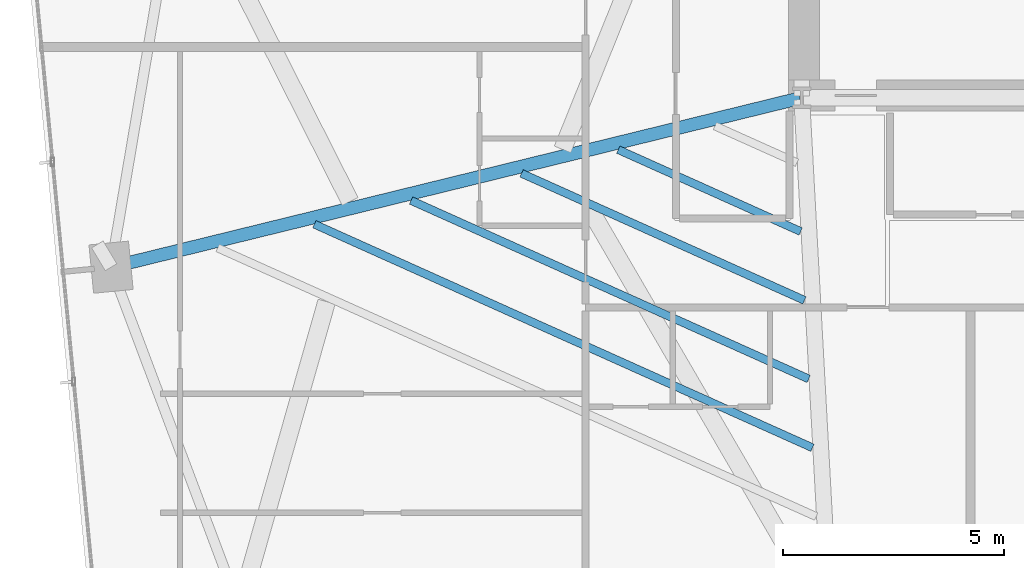
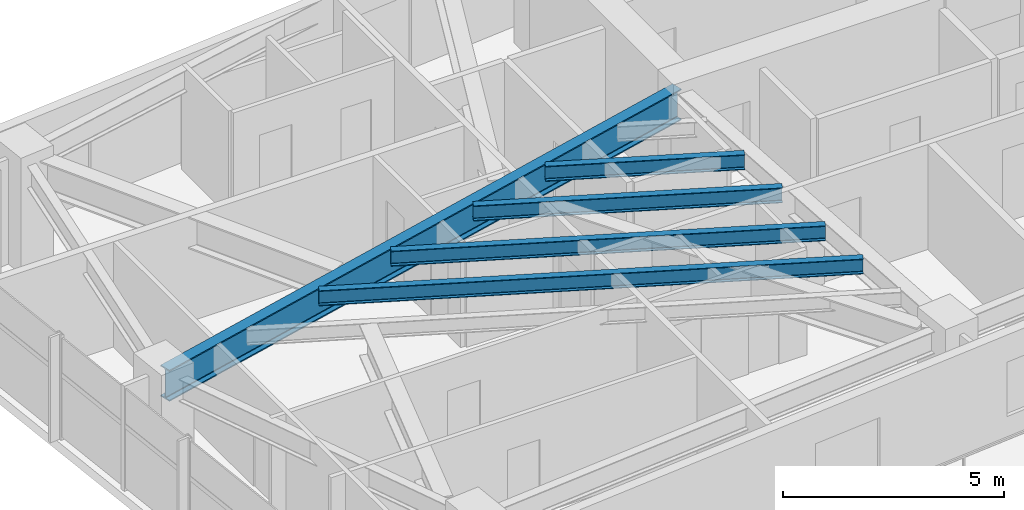
# One storey, part 5 of 27: 5 beams.
"""IFC4 building model written with IfcOpenShell, lengths in metres."""

from ifc_helpers import new_model, si_unit, direction, frame, origin, origin_2d, place, context, subcontext, project, spatial, i_section, extrude, source, transform, mapped, material, material_profile, profile_set, type_object, type_shapes, element, save


model = new_model("IFC4")

# Units and contexts
model_context = context("Model", 3, precision=1e-05, world=origin(), true_north=direction((0.0, 1.0)))
body_context = subcontext(model_context, "Body", "Model", "MODEL_VIEW")
ifc_project = project(units=[si_unit("LENGTHUNIT", "METRE"), si_unit("AREAUNIT", "SQUARE_METRE"), si_unit("VOLUMEUNIT", "CUBIC_METRE"), si_unit("PLANEANGLEUNIT", "RADIAN"), si_unit("MASSUNIT", "GRAM", prefix="KILO")], contexts=[model_context])

# Site, building, storey
site_placement = place(None, origin())
site = spatial("IfcSite", under=ifc_project, at=site_placement, CompositionType="ELEMENT")
building_placement = place(site_placement, origin())
building = spatial("IfcBuilding", under=site, at=building_placement, Name="Astriad Promenade Condominiums", CompositionType="ELEMENT")
storey_placement = place(building_placement, frame((0.0, 0.0, 116.199951171875)))
storey = spatial("IfcBuildingStorey", under=building, at=storey_placement, Name="L33", CompositionType="ELEMENT", Elevation=116.199951171875)

# Beams
ifc_material = material(Name="Steel ASTM A992 Grade 50", Category="steel")
ifc_material_profile_1 = material_profile(ifc_material, i_section(OverallWidth=0.2919921875, OverallDepth=0.85888671875, WebThickness=0.01708984375, FlangeThickness=0.031005859375, FilletRadius=0.02294921875, at=origin_2d()), Name="W33X169")
ifc_profile_set_1 = profile_set([ifc_material_profile_1], Name="Steel ASTM A992 Grade 50")
beam_type_1 = type_object("IfcBeamType", Name="STEEL PRIMARY GIRDER W33X169", PredefinedType="BEAM", material=ifc_profile_set_1)
shared_shape_1 = source(origin(), body_context, "Body", "SweptSolid", [
    extrude(i_section(OverallWidth=0.2919921875, OverallDepth=0.85888671875, WebThickness=0.01708984375, FlangeThickness=0.031005859375, FilletRadius=0.02294921875, at=origin_2d()), origin(), (0.0, 0.0, 1.0), 16.032470703125),
])
type_shapes(beam_type_1, [shared_shape_1])
beam_1_placement = place(storey_placement, frame((10.790283203125, 13.5703125, 2.470458984375), z_axis=(0.971199076901, 0.238269496633, 0.0), x_axis=(-0.238269496633, 0.971199076901, 0.0)))
element("IfcBeam", 1, at=beam_1_placement, inside=storey, type_object=beam_type_1, Name="Primary Floor Girder PG-WM-L33", PredefinedType="BEAM", context=body_context, shape_type="MappedRepresentation", body=[
    mapped(shared_shape_1, transform((0.0, 0.0, 0.0), scale=1.0)),
])
ifc_material_profile_2 = material_profile(ifc_material, i_section(OverallWidth=0.180908203125, OverallDepth=0.417236328125, WebThickness=0.010986328125, FlangeThickness=0.018310546875, FilletRadius=0.013916015625, at=origin_2d()), Name="W16X57")
ifc_profile_set_2 = profile_set([ifc_material_profile_2], Name="Steel ASTM A992 Grade 50")
beam_type_2 = type_object("IfcBeamType", Name="STEEL FLOOR JOIST W16X57", PredefinedType="JOIST", material=ifc_profile_set_2)
shared_shape_2 = source(origin(), body_context, "Body", "SweptSolid", [
    extrude(i_section(OverallWidth=0.180908203125, OverallDepth=0.417236328125, WebThickness=0.010986328125, FlangeThickness=0.018310546875, FilletRadius=0.013916015625, at=origin_2d()), origin(), (0.0, 0.0, 1.0), 12.369140625),
])
beam_2_placement = place(storey_placement, frame((15.35888671875, 14.534423828125, 2.69140625), z_axis=(0.91230851279, -0.409503574454, 0.0), x_axis=(0.409503574454, 0.91230851279, 0.0)))
element("IfcBeam", 2, at=beam_2_placement, inside=storey, type_object=beam_type_2, Name="Secondary Composite Floor Joist JW1-2-L33", PredefinedType="JOIST", context=body_context, shape_type="MappedRepresentation", body=[
    mapped(shared_shape_2, transform((0.0, 0.0, 0.0), scale=1.0)),
])
shared_shape_3 = source(origin(), body_context, "Body", "SweptSolid", [
    extrude(i_section(OverallWidth=0.180908203125, OverallDepth=0.417236328125, WebThickness=0.010986328125, FlangeThickness=0.018310546875, FilletRadius=0.013916015625, at=origin_2d()), origin(), (0.0, 0.0, 1.0), 9.875),
])
beam_3_placement = place(storey_placement, frame((17.549560546875, 15.072021484375, 2.69140625), z_axis=(0.912313833055, -0.409491721549, 0.0), x_axis=(0.409491721549, 0.912313833055, 0.0)))
element("IfcBeam", 3, at=beam_3_placement, inside=storey, type_object=beam_type_2, Name="Secondary Composite Floor Joist JW1-3-L33", PredefinedType="JOIST", context=body_context, shape_type="MappedRepresentation", body=[
    mapped(shared_shape_3, transform((0.0, 0.0, 0.0), scale=1.0)),
])
shared_shape_4 = source(origin(), body_context, "Body", "SweptSolid", [
    extrude(i_section(OverallWidth=0.180908203125, OverallDepth=0.417236328125, WebThickness=0.010986328125, FlangeThickness=0.018310546875, FilletRadius=0.013916015625, at=origin_2d()), origin(), (0.0, 0.0, 1.0), 7.024169921875),
])
beam_4_placement = place(storey_placement, frame((20.053466796875, 15.686279296875, 2.69140625), z_axis=(0.912306106293, -0.409508935703, 0.0), x_axis=(0.409508935703, 0.912306106293, 0.0)))
element("IfcBeam", 4, at=beam_4_placement, inside=storey, type_object=beam_type_2, Name="Secondary Composite Floor Joist JW1-4-L33", PredefinedType="JOIST", context=body_context, shape_type="MappedRepresentation", body=[
    mapped(shared_shape_4, transform((0.0, 0.0, 0.0), scale=1.0)),
])
shared_shape_5 = source(origin(), body_context, "Body", "SweptSolid", [
    extrude(i_section(OverallWidth=0.180908203125, OverallDepth=0.417236328125, WebThickness=0.010986328125, FlangeThickness=0.018310546875, FilletRadius=0.013916015625, at=origin_2d()), origin(), (0.0, 0.0, 1.0), 4.52978515625),
])
type_shapes(beam_type_2, [shared_shape_2, shared_shape_3, shared_shape_4, shared_shape_5])
beam_5_placement = place(storey_placement, frame((22.244140625, 16.2236328125, 2.69140625), z_axis=(0.912307341368, -0.409506184186, 0.0), x_axis=(0.409506184186, 0.912307341368, 0.0)))
element("IfcBeam", 5, at=beam_5_placement, inside=storey, type_object=beam_type_2, Name="Secondary Composite Floor Joist JW1-5-L33", PredefinedType="JOIST", context=body_context, shape_type="MappedRepresentation", body=[
    mapped(shared_shape_5, transform((0.0, 0.0, 0.0), scale=1.0)),
])

save(model, "model.ifc")
